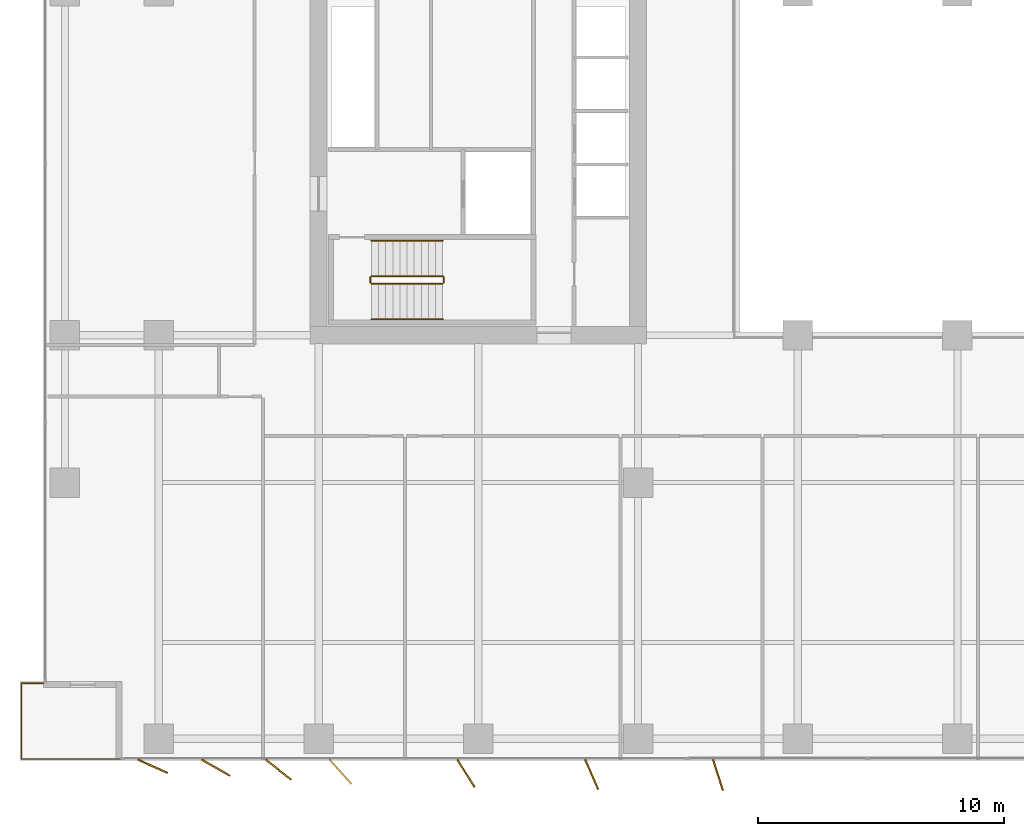
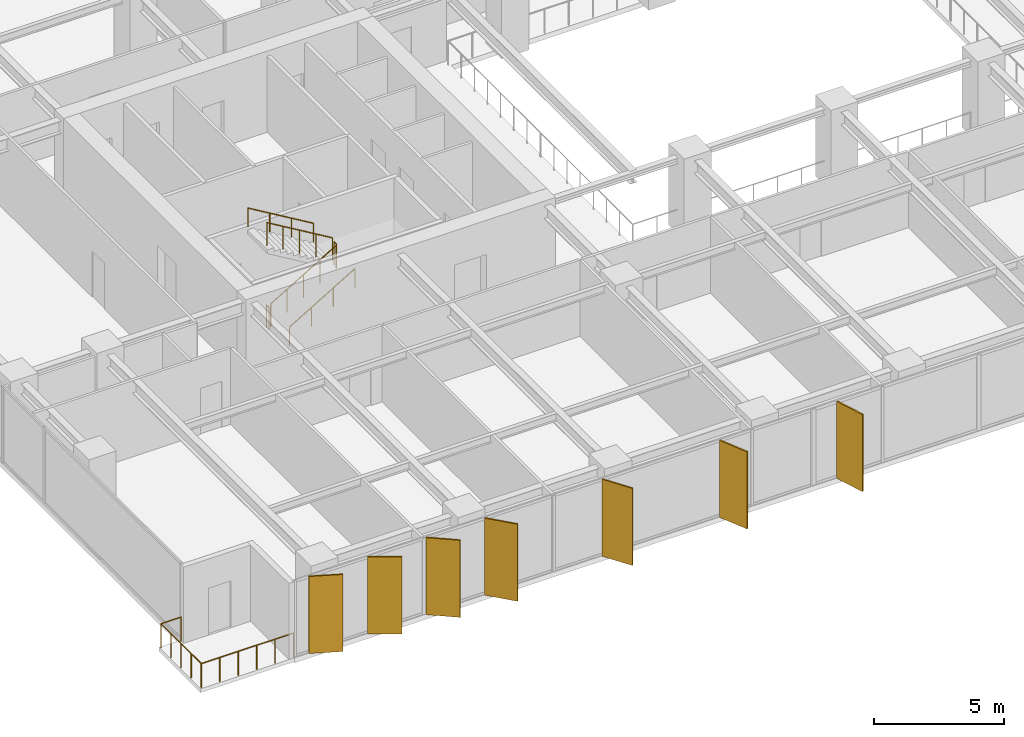
# One storey, part 17 of 20: 7 railings, 7 shading devices.
"""IFC4 building model written with IfcOpenShell, lengths in metres."""

import ifcopenshell
import ifcopenshell.guid

model = None  # the IFC model being written
_history = None  # IfcOwnerHistory: only IFC2X3 demands one
_inside = {}  # id of a spatial element -> (the spatial element, [elements in it])
_under = {}  # id of a project, library or spatial element -> (it, [spatial elements below it])
_declared = {}  # id of a project -> (the project, [libraries it declares])
_typed = {}  # id of a type object -> (the type object, [elements of that type])
_made_of = {}  # id of a material, layer set ... -> (it, [elements and type objects made of it])


def new_model(schema):
    """Start an empty IFC model of exactly this schema.

    Asked for "IFC4X3", IfcOpenShell would pick the latest addendum, in which some entities
    have other attributes; the version numbers below select the first issue.
    IFC2X3 requires an IfcOwnerHistory on every rooted entity: one is made here for all.
    """
    global model, _history
    if schema == "IFC4X3":
        model = ifcopenshell.file(schema_version=(4, 3, 0, 0))
    else:
        model = ifcopenshell.file(schema=schema)
    _inside.clear()
    _under.clear()
    _declared.clear()
    _typed.clear()
    _made_of.clear()
    _history = None
    if model.schema == "IFC2X3":
        org = make("IfcOrganization", Name="unknown")
        user = make(
            "IfcPersonAndOrganization",
            ThePerson=make("IfcPerson", FamilyName="unknown"),
            TheOrganization=org,
        )
        app = make(
            "IfcApplication",
            ApplicationDeveloper=org,
            Version="unknown",
            ApplicationFullName="unknown",
            ApplicationIdentifier="unknown",
        )
        _history = make(
            "IfcOwnerHistory",
            OwningUser=user,
            OwningApplication=app,
            ChangeAction="ADDED",
            CreationDate=0,
        )
    return model


def make(cls, **values):
    """One entity of the class cls with the attributes given. An attribute that is None is left unset."""
    return model.create_entity(
        cls, **{name: value for name, value in values.items() if value is not None}
    )


def rooted(cls, **values):
    """An entity with a GlobalId (a new one), such as an element, a storey or a relation."""
    return make(cls, GlobalId=ifcopenshell.guid.new(), OwnerHistory=_history, **values)


def si_unit(unit_type, name, prefix=None):
    """IfcSIUnit, for example si_unit("LENGTHUNIT", "METRE", prefix="MILLI")."""
    return make("IfcSIUnit", UnitType=unit_type, Prefix=prefix, Name=name)


def assignment(units):
    """IfcUnitAssignment: the units of a project."""
    return None if units is None else make("IfcUnitAssignment", Units=units)


def point(xyz):
    """IfcCartesianPoint."""
    return None if xyz is None else make("IfcCartesianPoint", Coordinates=xyz)


def direction(xyz):
    """IfcDirection."""
    return None if xyz is None else make("IfcDirection", DirectionRatios=xyz)


def frame(location, z_axis=None, x_axis=None):
    """IfcAxis2Placement3D, a coordinate frame: its origin and axes. An axis left out is left unset."""
    return make(
        "IfcAxis2Placement3D",
        Location=point(location),
        Axis=direction(z_axis),
        RefDirection=direction(x_axis),
    )


def frame_2d(location, x_axis=None):
    """IfcAxis2Placement2D, a coordinate frame in the plane: its origin and x axis."""
    return make(
        "IfcAxis2Placement2D", Location=point(location), RefDirection=direction(x_axis)
    )


def origin():
    """The frame at (0, 0, 0) with its axes left unset."""
    return frame((0.0, 0.0, 0.0))


def origin_2d():
    """The frame at (0, 0) in the plane with its x axis left unset."""
    return frame_2d((0.0, 0.0))


def place(relative_to, where):
    """IfcLocalPlacement: puts the frame where relative to a parent placement (None: the world)."""
    return make(
        "IfcLocalPlacement", PlacementRelTo=relative_to, RelativePlacement=where
    )


def context(
    kind, dimensions, precision=None, world=None, true_north=None, identifier=None
):
    """IfcGeometricRepresentationContext, for example the 3D "Model" context."""
    return make(
        "IfcGeometricRepresentationContext",
        ContextIdentifier=identifier,
        ContextType=kind,
        CoordinateSpaceDimension=dimensions,
        Precision=precision,
        WorldCoordinateSystem=world,
        TrueNorth=true_north,
    )


def subcontext(parent, identifier, kind, view, scale=None):
    """IfcGeometricRepresentationSubContext, for example "Body" below "Model"."""
    return make(
        "IfcGeometricRepresentationSubContext",
        ContextIdentifier=identifier,
        ContextType=kind,
        ParentContext=parent,
        TargetScale=scale,
        TargetView=view,
    )


def project(units=None, contexts=None):
    """IfcProject with its units and contexts."""
    return rooted(
        "IfcProject",
        Name="project",
        RepresentationContexts=contexts,
        UnitsInContext=assignment(units),
    )


def spatial(cls, under=None, at=None, **own):
    """A site, building, storey or space (cls), placed at a placement, below another one or the project."""
    s = rooted(cls, ObjectPlacement=at, **own)
    if under is not None:
        _under.setdefault(under.id(), (under, []))[1].append(s)
    return s


def profile(cls, at=None, kind="AREA", **sizes):
    """A parametric profile (cls). Its sizes go by their IFC names, for example OverallWidth=200.0."""
    return make(cls, ProfileType=kind, Position=at, **sizes)


def rectangle(**sizes):
    """IfcRectangleProfileDef."""
    return profile("IfcRectangleProfileDef", **sizes)


def circle(**sizes):
    """IfcCircleProfileDef."""
    return profile("IfcCircleProfileDef", **sizes)


def extrude(swept, where, along, depth):
    """IfcExtrudedAreaSolid: the profile swept, set in the frame where, extruded along a direction by depth."""
    return make(
        "IfcExtrudedAreaSolid",
        SweptArea=swept,
        Position=where,
        ExtrudedDirection=direction(along),
        Depth=depth,
    )


def shape(context_of_items, identifier, shape_type, items):
    """IfcShapeRepresentation: the items that make up one representation, for example the "Body"."""
    return make(
        "IfcShapeRepresentation",
        ContextOfItems=context_of_items,
        RepresentationIdentifier=identifier,
        RepresentationType=shape_type,
        Items=items,
    )


def material(Name=None, Category=None):
    """IfcMaterial."""
    return make("IfcMaterial", Name=Name, Category=Category)


def layer(
    of_material, thickness, ventilated=None, Name=None, Category=None, Priority=None
):
    """IfcMaterialLayer: one layer of a wall or slab, of a material (None: an air gap)."""
    return make(
        "IfcMaterialLayer",
        Material=of_material,
        LayerThickness=thickness,
        IsVentilated=ventilated,
        Name=Name,
        Category=Category,
        Priority=Priority,
    )


def layer_set(layers, Name=None):
    """IfcMaterialLayerSet."""
    return make("IfcMaterialLayerSet", MaterialLayers=layers, LayerSetName=Name)


def made_of(thing, what):
    """Note that an element or type object is made of a material, layer set ...; save() writes the relation."""
    if what is not None:
        _made_of.setdefault(what.id(), (what, []))[1].append(thing)
    return thing


def type_object(cls, material=None, **own):
    """A type object (cls), such as IfcWallType, which elements share."""
    return made_of(rooted(cls, **own), material)


def element(
    cls,
    number,
    at=None,
    inside=None,
    cuts=None,
    type_object=None,
    material=None,
    context=None,
    identifier="Body",
    shape_type=None,
    held_by="IfcProductDefinitionShape",
    body=None,
    shapes=None,
    **own,
):
    """One element of the class cls, such as IfcWall. Its Tag is "e" and its number.

    at: its placement. inside: the storey or other place that contains it. cuts: it is an
    opening in that element (IfcRelVoidsElement). A single representation is given by context,
    identifier, shape_type and body (its items); several are given by shapes. held_by: the class
    of the entity that holds the representations. save() writes the other relations.
    """
    e = rooted(cls, Tag="e%d" % number, ObjectPlacement=at, **own)
    if body is not None:
        shapes = [shape(context, identifier, shape_type, body)]
    if shapes is not None:
        e.Representation = make(held_by, Representations=shapes)
    if inside is not None:
        _inside.setdefault(inside.id(), (inside, []))[1].append(e)
    if cuts is not None:
        rooted(
            "IfcRelVoidsElement", RelatingBuildingElement=cuts, RelatedOpeningElement=e
        )
    if type_object is not None:
        _typed.setdefault(type_object.id(), (type_object, []))[1].append(e)
    return made_of(e, material)


def aggregate(whole, parts):
    """IfcRelAggregates: a whole, such as a stair, and the parts it consists of."""
    return rooted("IfcRelAggregates", RelatingObject=whole, RelatedObjects=parts)


def save(model, path):
    """Write the relations noted so far, then the file.

    IfcRelAggregates (storeys below a building ...), IfcRelContainedInSpatialStructure (elements
    in a storey), IfcRelDefinesByType, IfcRelAssociatesMaterial and IfcRelDeclares: one each for
    every whole, place, type object, material and project.
    """
    for whole, parts in _under.values():
        aggregate(whole, parts)
    for where, things in _inside.values():
        rooted(
            "IfcRelContainedInSpatialStructure",
            RelatedElements=things,
            RelatingStructure=where,
        )
    for kind, things in _typed.values():
        rooted("IfcRelDefinesByType", RelatedObjects=things, RelatingType=kind)
    for what, things in _made_of.values():
        rooted("IfcRelAssociatesMaterial", RelatedObjects=things, RelatingMaterial=what)
    for by, libraries in _declared.values():
        rooted("IfcRelDeclares", RelatingContext=by, RelatedDefinitions=libraries)
    model.write(path)


model = new_model("IFC4")

# Units and contexts
model_context = context("Model", 3, precision=1e-05, world=origin(), true_north=direction((0.0, 1.0)))
body_context = subcontext(model_context, "Body", "Model", "MODEL_VIEW")
ifc_project = project(units=[si_unit("LENGTHUNIT", "METRE"), si_unit("AREAUNIT", "SQUARE_METRE"), si_unit("VOLUMEUNIT", "CUBIC_METRE"), si_unit("PLANEANGLEUNIT", "RADIAN"), si_unit("MASSUNIT", "GRAM", prefix="KILO")], contexts=[model_context])

# Site, building, storey
site_placement = place(None, origin())
site = spatial("IfcSite", under=ifc_project, at=site_placement, CompositionType="ELEMENT")
building_placement = place(site_placement, origin())
building = spatial("IfcBuilding", under=site, at=building_placement, Name="Putna Gate Headquarters", CompositionType="ELEMENT")
storey_placement = place(building_placement, frame((0.0, 0.0, 93.60009765625)))
storey = spatial("IfcBuildingStorey", under=building, at=storey_placement, Name="L22", CompositionType="ELEMENT", Elevation=93.60009765625)

# Railings
ifc_material_1 = material(Name="Powder-coated steel stair guardrail", Category="steel")
railing_type_1 = type_object("IfcRailingType", Name="RAIL-STAIR-GUARD-1100", PredefinedType="GUARDRAIL", material=ifc_material_1)
railing_1_placement = place(storey_placement, frame((15.14990234375, 21.10009765625, 0.172607421875)))
element("IfcRailing", 1, at=railing_1_placement, inside=storey, type_object=railing_type_1, Name="L22 ST1 stair guard 1", PredefinedType="GUARDRAIL", context=body_context, shape_type="SweptSolid", body=[
    extrude(circle(Radius=0.02392578125, at=origin_2d()), frame((0.0, 0.0, 1.076171875), z_axis=(0.859160404282, 0.0, 0.51170636083), x_axis=(0.0, 1.0, 0.0)), (0.0, 0.0, 1.0), 3.37548828125),
    extrude(circle(Radius=0.02099609375, at=origin_2d()), origin(), (0.0, 0.0, 1.0), 1.052001953125),
    extrude(circle(Radius=0.02099609375, at=origin_2d()), frame((0.72509765625, 0.0, 0.431884765625)), (0.0, 0.0, 1.0), 1.052001953125),
    extrude(circle(Radius=0.02099609375, at=origin_2d()), frame((1.4501953125, 0.0, 0.86376953125)), (0.0, 0.0, 1.0), 1.052001953125),
    extrude(circle(Radius=0.02099609375, at=origin_2d()), frame((2.175048828125, 0.0, 1.29541015625)), (0.0, 0.0, 1.0), 1.052001953125),
    extrude(circle(Radius=0.02099609375, at=origin_2d()), frame((2.900146484375, 0.0, 1.727294921875)), (0.0, 0.0, 1.0), 1.052001953125),
])
railing_2_placement = place(storey_placement, frame((18.10009765625, 21.14990234375, 1.89990234375)))
element("IfcRailing", 2, at=railing_2_placement, inside=storey, type_object=railing_type_1, Name="L22 ST1 stair guard 2", PredefinedType="GUARDRAIL", context=body_context, shape_type="SweptSolid", body=[
    extrude(circle(Radius=0.02392578125, at=origin_2d()), frame((0.0, 0.0, 1.076171875), z_axis=(0.0, 1.0, 0.0), x_axis=(-1.0, 0.0, 0.0)), (0.0, 0.0, 1.0), 0.2001953125),
    extrude(circle(Radius=0.02099609375, at=origin_2d()), origin(), (0.0, 0.0, 1.0), 1.052001953125),
    extrude(circle(Radius=0.02099609375, at=origin_2d()), frame((0.0, 0.2001953125, 0.0)), (0.0, 0.0, 1.0), 1.052001953125),
])
railing_3_placement = place(storey_placement, frame((18.050048828125, 21.39990234375, 2.072509765625)))
element("IfcRailing", 3, at=railing_3_placement, inside=storey, type_object=railing_type_1, Name="L22 ST1 stair guard 3", PredefinedType="GUARDRAIL", context=body_context, shape_type="SweptSolid", body=[
    extrude(circle(Radius=0.02392578125, at=origin_2d()), frame((0.0, 0.0, 1.076171875), z_axis=(-0.859160404282, 0.0, 0.51170636083), x_axis=(0.0, -1.0, 0.0)), (0.0, 0.0, 1.0), 3.37548828125),
    extrude(circle(Radius=0.02099609375, at=origin_2d()), origin(), (0.0, 0.0, 1.0), 1.052001953125),
    extrude(circle(Radius=0.02099609375, at=origin_2d()), frame((-0.72509765625, 0.0, 0.431884765625)), (0.0, 0.0, 1.0), 1.052001953125),
    extrude(circle(Radius=0.02099609375, at=origin_2d()), frame((-1.4501953125, 0.0, 0.86376953125)), (0.0, 0.0, 1.0), 1.052001953125),
    extrude(circle(Radius=0.02099609375, at=origin_2d()), frame((-2.175048828125, 0.0, 1.29541015625)), (0.0, 0.0, 1.0), 1.052001953125),
    extrude(circle(Radius=0.02099609375, at=origin_2d()), frame((-2.900146484375, 0.0, 1.727294921875)), (0.0, 0.0, 1.0), 1.052001953125),
])
railing_4_placement = place(storey_placement, frame((15.10009765625, 21.14990234375, 0.0)))
element("IfcRailing", 4, at=railing_4_placement, inside=storey, type_object=railing_type_1, Name="L22 ST1 stair guard 4", PredefinedType="GUARDRAIL", context=body_context, shape_type="SweptSolid", body=[
    extrude(circle(Radius=0.02392578125, at=origin_2d()), frame((0.0, 0.0, 1.076171875), z_axis=(0.0, 1.0, 0.0), x_axis=(-1.0, 0.0, 0.0)), (0.0, 0.0, 1.0), 0.2001953125),
    extrude(circle(Radius=0.02099609375, at=origin_2d()), origin(), (0.0, 0.0, 1.0), 1.052001953125),
    extrude(circle(Radius=0.02099609375, at=origin_2d()), frame((0.0, 0.2001953125, 0.0)), (0.0, 0.0, 1.0), 1.052001953125),
])
ifc_material_2 = material(Name="Brushed stainless steel handrail", Category="steel")
railing_type_2 = type_object("IfcRailingType", Name="RAIL-STAIR-HAND-900", PredefinedType="HANDRAIL", material=ifc_material_2)
railing_5_placement = place(storey_placement, frame((15.14990234375, 19.64990234375, 0.172607421875)))
element("IfcRailing", 5, at=railing_5_placement, inside=storey, type_object=railing_type_2, Name="L22 ST1 stair handrail 1", PredefinedType="HANDRAIL", context=body_context, shape_type="SweptSolid", body=[
    extrude(circle(Radius=0.02392578125, at=origin_2d()), frame((0.0, 0.0, 0.8759765625), z_axis=(0.859160404282, 0.0, 0.51170636083), x_axis=(0.0, 1.0, 0.0)), (0.0, 0.0, 1.0), 3.37548828125),
    extrude(circle(Radius=0.02099609375, at=origin_2d()), origin(), (0.0, 0.0, 1.0), 0.851806640625),
    extrude(circle(Radius=0.02099609375, at=origin_2d()), frame((0.966796875, 0.0, 0.57568359375)), (0.0, 0.0, 1.0), 0.851806640625),
    extrude(circle(Radius=0.02099609375, at=origin_2d()), frame((1.933349609375, 0.0, 1.151611328125)), (0.0, 0.0, 1.0), 0.851806640625),
    extrude(circle(Radius=0.02099609375, at=origin_2d()), frame((2.900146484375, 0.0, 1.727294921875)), (0.0, 0.0, 1.0), 0.851806640625),
])
railing_6_placement = place(storey_placement, frame((18.050048828125, 22.85009765625, 2.072509765625)))
element("IfcRailing", 6, at=railing_6_placement, inside=storey, type_object=railing_type_2, Name="L22 ST1 stair handrail 2", PredefinedType="HANDRAIL", context=body_context, shape_type="SweptSolid", body=[
    extrude(circle(Radius=0.02392578125, at=origin_2d()), frame((0.0, 0.0, 0.8759765625), z_axis=(-0.859160404282, 0.0, 0.51170636083), x_axis=(0.0, -1.0, 0.0)), (0.0, 0.0, 1.0), 3.37548828125),
    extrude(circle(Radius=0.02099609375, at=origin_2d()), origin(), (0.0, 0.0, 1.0), 0.851806640625),
    extrude(circle(Radius=0.02099609375, at=origin_2d()), frame((-0.966796875, 0.0, 0.57568359375)), (0.0, 0.0, 1.0), 0.851806640625),
    extrude(circle(Radius=0.02099609375, at=origin_2d()), frame((-1.933349609375, 0.0, 1.151611328125)), (0.0, 0.0, 1.0), 0.851806640625),
    extrude(circle(Radius=0.02099609375, at=origin_2d()), frame((-2.900146484375, 0.0, 1.727294921875)), (0.0, 0.0, 1.0), 0.851806640625),
])
ifc_material_3 = material(Name="Anodised bronze steel and laminated glass guardrail", Category="steel")
railing_type_3 = type_object("IfcRailingType", Name="RAIL-TERR-GUARD-1150", PredefinedType="GUARDRAIL", material=ifc_material_3)
railing_7_placement = place(storey_placement, frame((5.0, 1.760009765625, 0.0)))
element("IfcRailing", 7, at=railing_7_placement, inside=storey, type_object=railing_type_3, Name="L22 Spiral Sky Terrace Guardrail SW", PredefinedType="GUARDRAIL", context=body_context, shape_type="SweptSolid", body=[
    extrude(circle(Radius=0.02392578125, at=origin_2d()), frame((0.0, 0.0, 1.1259765625), z_axis=(-1.0, 0.0, 0.0), x_axis=(0.0, -1.0, 0.0)), (0.0, 0.0, 1.0), 4.090087890625),
    extrude(circle(Radius=0.02392578125, at=origin_2d()), frame((-4.090087890625, 0.0, 1.1259765625), z_axis=(0.0, 1.0, 0.0), x_axis=(-1.0, 0.0, 0.0)), (0.0, 0.0, 1.0), 3.080078125),
    extrude(circle(Radius=0.02392578125, at=origin_2d()), frame((-4.090087890625, 3.080078125, 1.1259765625), z_axis=(1.0, 0.0, 0.0), x_axis=(0.0, 1.0, 0.0)), (0.0, 0.0, 1.0), 0.89013671875),
    extrude(circle(Radius=0.02099609375, at=origin_2d()), origin(), (0.0, 0.0, 1.0), 1.101806640625),
    extrude(circle(Radius=0.02099609375, at=origin_2d()), frame((-0.818115234375, 0.0, 0.0)), (0.0, 0.0, 1.0), 1.101806640625),
    extrude(circle(Radius=0.02099609375, at=origin_2d()), frame((-1.635986328125, 0.0, 0.0)), (0.0, 0.0, 1.0), 1.101806640625),
    extrude(circle(Radius=0.02099609375, at=origin_2d()), frame((-2.4541015625, 0.0, 0.0)), (0.0, 0.0, 1.0), 1.101806640625),
    extrude(circle(Radius=0.02099609375, at=origin_2d()), frame((-3.27197265625, 0.0, 0.0)), (0.0, 0.0, 1.0), 1.101806640625),
    extrude(circle(Radius=0.02099609375, at=origin_2d()), frame((-4.090087890625, 0.0, 0.0)), (0.0, 0.0, 1.0), 1.101806640625),
    extrude(circle(Radius=0.02099609375, at=origin_2d()), frame((-4.090087890625, 0.77001953125, 0.0)), (0.0, 0.0, 1.0), 1.101806640625),
    extrude(circle(Radius=0.02099609375, at=origin_2d()), frame((-4.090087890625, 1.5400390625, 0.0)), (0.0, 0.0, 1.0), 1.101806640625),
    extrude(circle(Radius=0.02099609375, at=origin_2d()), frame((-4.090087890625, 2.31005859375, 0.0)), (0.0, 0.0, 1.0), 1.101806640625),
    extrude(circle(Radius=0.02099609375, at=origin_2d()), frame((-4.090087890625, 3.080078125, 0.0)), (0.0, 0.0, 1.0), 1.101806640625),
    extrude(circle(Radius=0.02099609375, at=origin_2d()), frame((-3.199951171875, 3.080078125, 0.0)), (0.0, 0.0, 1.0), 1.101806640625),
])

# Shading devices
ifc_material_4 = material(Name="Anodised architectural bronze aluminium fin", Category="aluminium")
ifc_layer = layer(ifc_material_4, 0.06494140625)
ifc_layer_set = layer_set([ifc_layer], Name="Anodised architectural bronze aluminium fin")
shading_device_type = type_object("IfcShadingDeviceType", Name="SHADE-BRONZE-FIN-1320", PredefinedType="USERDEFINED", material=ifc_layer_set)
for number, where, z_axis, x_axis, name in (
    (8, (6.2529296875, 1.456787109375, -0.02001953125), (0.0, 0.0, 1.0), (0.913687379856, -0.40641773078, 0.0), "L22 Bronze Vertical Shading Fin S1"),
    (9, (8.82373046875, 1.398681640625, -0.02001953125), (0.0, 0.0, 1.0), (0.869322458298, -0.494245347472, 0.0), "L22 Bronze Vertical Shading Fin S2"),
    (10, (11.36962890625, 1.318115234375, -0.02001953125), (0.0, 0.0, 1.0), (0.787473187632, -0.616348909921, 0.0), "L22 Bronze Vertical Shading Fin S3"),
    (11, (13.8916015625, 1.234619140625, -0.02001953125), (0.0, 0.0, 1.0), (0.669130606359, -0.743144825477, 0.0), "L22 Bronze Vertical Shading Fin S4"),
    (12, (19.000244140625, 1.16552734375, -0.02001953125), (0.0, 0.0, 1.0), (0.530659123936, -0.847585331506, 0.0), "L22 Bronze Vertical Shading Fin S5"),
    (13, (24.114501953125, 1.120361328125, -0.02001953125), (0.0, 0.0, 1.0), (0.400668879095, -0.916222925562, 0.0), "L22 Bronze Vertical Shading Fin S6"),
    (14, (29.253662109375, 1.09716796875, -0.02001953125), (0.0, 0.0, 1.0), (0.308684994204, -0.951164325631, 0.0), "L22 Bronze Vertical Shading Fin S7"),
):
    element("IfcShadingDevice", number, at=place(storey_placement, frame(where, z_axis=z_axis, x_axis=x_axis)), inside=storey, type_object=shading_device_type, Name=name, ObjectType="FIN", PredefinedType="USERDEFINED", context=body_context, shape_type="SweptSolid", body=[
        extrude(rectangle(XDim=1.320068359375, YDim=0.06494140625, at=origin_2d()), origin(), (0.0, 0.0, 1.0), 3.60498046875),
    ])

save(model, "model.ifc")
